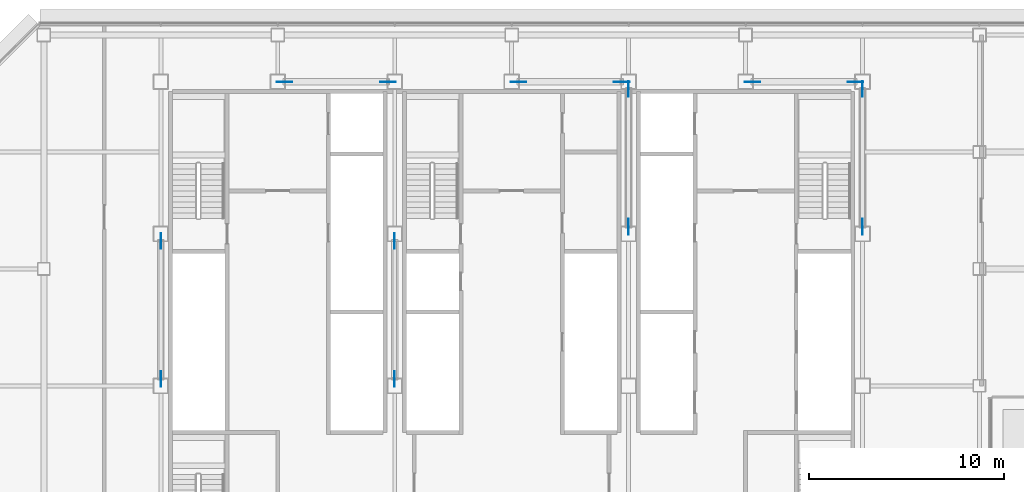
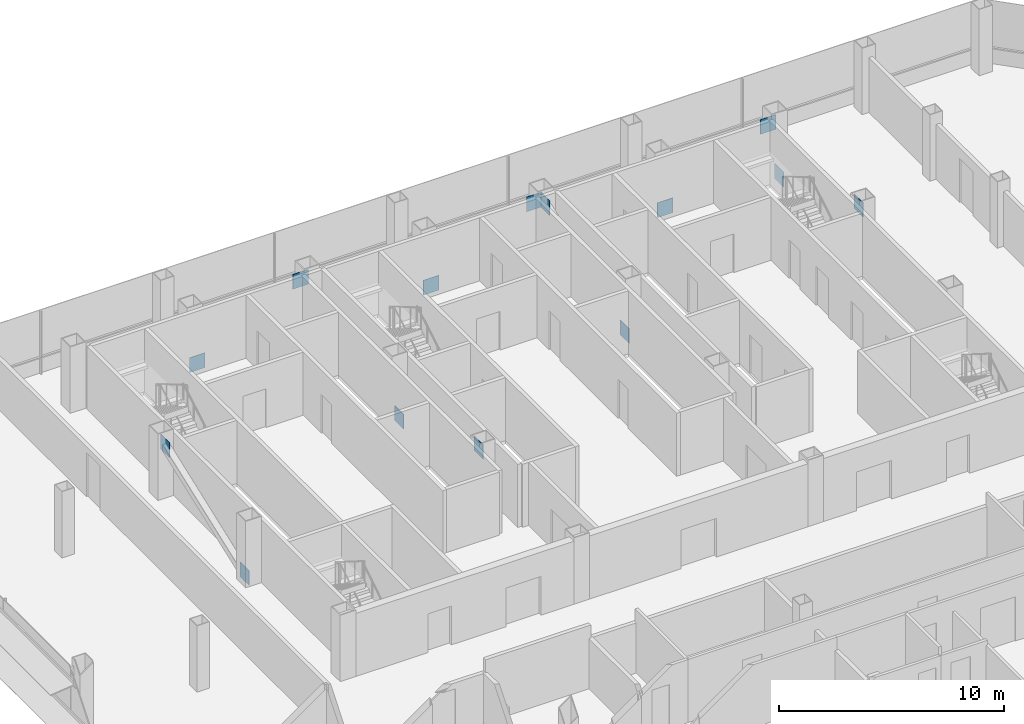
# One storey, part 23 of 27: 14 discrete accessories.
"""IFC4 building model written with IfcOpenShell, lengths in metres."""

import ifcopenshell
import ifcopenshell.guid

model = None  # the IFC model being written
_history = None  # IfcOwnerHistory: only IFC2X3 demands one
_inside = {}  # id of a spatial element -> (the spatial element, [elements in it])
_under = {}  # id of a project, library or spatial element -> (it, [spatial elements below it])
_declared = {}  # id of a project -> (the project, [libraries it declares])
_typed = {}  # id of a type object -> (the type object, [elements of that type])
_made_of = {}  # id of a material, layer set ... -> (it, [elements and type objects made of it])


def new_model(schema):
    """Start an empty IFC model of exactly this schema.

    Asked for "IFC4X3", IfcOpenShell would pick the latest addendum, in which some entities
    have other attributes; the version numbers below select the first issue.
    IFC2X3 requires an IfcOwnerHistory on every rooted entity: one is made here for all.
    """
    global model, _history
    if schema == "IFC4X3":
        model = ifcopenshell.file(schema_version=(4, 3, 0, 0))
    else:
        model = ifcopenshell.file(schema=schema)
    _inside.clear()
    _under.clear()
    _declared.clear()
    _typed.clear()
    _made_of.clear()
    _history = None
    if model.schema == "IFC2X3":
        org = make("IfcOrganization", Name="unknown")
        user = make(
            "IfcPersonAndOrganization",
            ThePerson=make("IfcPerson", FamilyName="unknown"),
            TheOrganization=org,
        )
        app = make(
            "IfcApplication",
            ApplicationDeveloper=org,
            Version="unknown",
            ApplicationFullName="unknown",
            ApplicationIdentifier="unknown",
        )
        _history = make(
            "IfcOwnerHistory",
            OwningUser=user,
            OwningApplication=app,
            ChangeAction="ADDED",
            CreationDate=0,
        )
    return model


def make(cls, **values):
    """One entity of the class cls with the attributes given. An attribute that is None is left unset."""
    return model.create_entity(
        cls, **{name: value for name, value in values.items() if value is not None}
    )


def rooted(cls, **values):
    """An entity with a GlobalId (a new one), such as an element, a storey or a relation."""
    return make(cls, GlobalId=ifcopenshell.guid.new(), OwnerHistory=_history, **values)


def si_unit(unit_type, name, prefix=None):
    """IfcSIUnit, for example si_unit("LENGTHUNIT", "METRE", prefix="MILLI")."""
    return make("IfcSIUnit", UnitType=unit_type, Prefix=prefix, Name=name)


def assignment(units):
    """IfcUnitAssignment: the units of a project."""
    return None if units is None else make("IfcUnitAssignment", Units=units)


def point(xyz):
    """IfcCartesianPoint."""
    return None if xyz is None else make("IfcCartesianPoint", Coordinates=xyz)


def direction(xyz):
    """IfcDirection."""
    return None if xyz is None else make("IfcDirection", DirectionRatios=xyz)


def frame(location, z_axis=None, x_axis=None):
    """IfcAxis2Placement3D, a coordinate frame: its origin and axes. An axis left out is left unset."""
    return make(
        "IfcAxis2Placement3D",
        Location=point(location),
        Axis=direction(z_axis),
        RefDirection=direction(x_axis),
    )


def frame_2d(location, x_axis=None):
    """IfcAxis2Placement2D, a coordinate frame in the plane: its origin and x axis."""
    return make(
        "IfcAxis2Placement2D", Location=point(location), RefDirection=direction(x_axis)
    )


def origin():
    """The frame at (0, 0, 0) with its axes left unset."""
    return frame((0.0, 0.0, 0.0))


def origin_2d():
    """The frame at (0, 0) in the plane with its x axis left unset."""
    return frame_2d((0.0, 0.0))


def place(relative_to, where):
    """IfcLocalPlacement: puts the frame where relative to a parent placement (None: the world)."""
    return make(
        "IfcLocalPlacement", PlacementRelTo=relative_to, RelativePlacement=where
    )


def context(
    kind, dimensions, precision=None, world=None, true_north=None, identifier=None
):
    """IfcGeometricRepresentationContext, for example the 3D "Model" context."""
    return make(
        "IfcGeometricRepresentationContext",
        ContextIdentifier=identifier,
        ContextType=kind,
        CoordinateSpaceDimension=dimensions,
        Precision=precision,
        WorldCoordinateSystem=world,
        TrueNorth=true_north,
    )


def subcontext(parent, identifier, kind, view, scale=None):
    """IfcGeometricRepresentationSubContext, for example "Body" below "Model"."""
    return make(
        "IfcGeometricRepresentationSubContext",
        ContextIdentifier=identifier,
        ContextType=kind,
        ParentContext=parent,
        TargetScale=scale,
        TargetView=view,
    )


def project(units=None, contexts=None):
    """IfcProject with its units and contexts."""
    return rooted(
        "IfcProject",
        Name="project",
        RepresentationContexts=contexts,
        UnitsInContext=assignment(units),
    )


def spatial(cls, under=None, at=None, **own):
    """A site, building, storey or space (cls), placed at a placement, below another one or the project."""
    s = rooted(cls, ObjectPlacement=at, **own)
    if under is not None:
        _under.setdefault(under.id(), (under, []))[1].append(s)
    return s


def profile(cls, at=None, kind="AREA", **sizes):
    """A parametric profile (cls). Its sizes go by their IFC names, for example OverallWidth=200.0."""
    return make(cls, ProfileType=kind, Position=at, **sizes)


def rectangle(**sizes):
    """IfcRectangleProfileDef."""
    return profile("IfcRectangleProfileDef", **sizes)


def extrude(swept, where, along, depth):
    """IfcExtrudedAreaSolid: the profile swept, set in the frame where, extruded along a direction by depth."""
    return make(
        "IfcExtrudedAreaSolid",
        SweptArea=swept,
        Position=where,
        ExtrudedDirection=direction(along),
        Depth=depth,
    )


def shape(context_of_items, identifier, shape_type, items):
    """IfcShapeRepresentation: the items that make up one representation, for example the "Body"."""
    return make(
        "IfcShapeRepresentation",
        ContextOfItems=context_of_items,
        RepresentationIdentifier=identifier,
        RepresentationType=shape_type,
        Items=items,
    )


def material(Name=None, Category=None):
    """IfcMaterial."""
    return make("IfcMaterial", Name=Name, Category=Category)


def layer(
    of_material, thickness, ventilated=None, Name=None, Category=None, Priority=None
):
    """IfcMaterialLayer: one layer of a wall or slab, of a material (None: an air gap)."""
    return make(
        "IfcMaterialLayer",
        Material=of_material,
        LayerThickness=thickness,
        IsVentilated=ventilated,
        Name=Name,
        Category=Category,
        Priority=Priority,
    )


def layer_set(layers, Name=None):
    """IfcMaterialLayerSet."""
    return make("IfcMaterialLayerSet", MaterialLayers=layers, LayerSetName=Name)


def made_of(thing, what):
    """Note that an element or type object is made of a material, layer set ...; save() writes the relation."""
    if what is not None:
        _made_of.setdefault(what.id(), (what, []))[1].append(thing)
    return thing


def type_object(cls, material=None, **own):
    """A type object (cls), such as IfcWallType, which elements share."""
    return made_of(rooted(cls, **own), material)


def element(
    cls,
    number,
    at=None,
    inside=None,
    cuts=None,
    type_object=None,
    material=None,
    context=None,
    identifier="Body",
    shape_type=None,
    held_by="IfcProductDefinitionShape",
    body=None,
    shapes=None,
    **own,
):
    """One element of the class cls, such as IfcWall. Its Tag is "e" and its number.

    at: its placement. inside: the storey or other place that contains it. cuts: it is an
    opening in that element (IfcRelVoidsElement). A single representation is given by context,
    identifier, shape_type and body (its items); several are given by shapes. held_by: the class
    of the entity that holds the representations. save() writes the other relations.
    """
    e = rooted(cls, Tag="e%d" % number, ObjectPlacement=at, **own)
    if body is not None:
        shapes = [shape(context, identifier, shape_type, body)]
    if shapes is not None:
        e.Representation = make(held_by, Representations=shapes)
    if inside is not None:
        _inside.setdefault(inside.id(), (inside, []))[1].append(e)
    if cuts is not None:
        rooted(
            "IfcRelVoidsElement", RelatingBuildingElement=cuts, RelatedOpeningElement=e
        )
    if type_object is not None:
        _typed.setdefault(type_object.id(), (type_object, []))[1].append(e)
    return made_of(e, material)


def aggregate(whole, parts):
    """IfcRelAggregates: a whole, such as a stair, and the parts it consists of."""
    return rooted("IfcRelAggregates", RelatingObject=whole, RelatedObjects=parts)


def save(model, path):
    """Write the relations noted so far, then the file.

    IfcRelAggregates (storeys below a building ...), IfcRelContainedInSpatialStructure (elements
    in a storey), IfcRelDefinesByType, IfcRelAssociatesMaterial and IfcRelDeclares: one each for
    every whole, place, type object, material and project.
    """
    for whole, parts in _under.values():
        aggregate(whole, parts)
    for where, things in _inside.values():
        rooted(
            "IfcRelContainedInSpatialStructure",
            RelatedElements=things,
            RelatingStructure=where,
        )
    for kind, things in _typed.values():
        rooted("IfcRelDefinesByType", RelatedObjects=things, RelatingType=kind)
    for what, things in _made_of.values():
        rooted("IfcRelAssociatesMaterial", RelatedObjects=things, RelatingMaterial=what)
    for by, libraries in _declared.values():
        rooted("IfcRelDeclares", RelatingContext=by, RelatedDefinitions=libraries)
    model.write(path)


model = new_model("IFC4")

# Units and contexts
model_context = context("Model", 3, precision=1e-05, world=origin(), true_north=direction((0.0, 1.0)))
body_context = subcontext(model_context, "Body", "Model", "MODEL_VIEW")
ifc_project = project(units=[si_unit("LENGTHUNIT", "METRE"), si_unit("AREAUNIT", "SQUARE_METRE"), si_unit("VOLUMEUNIT", "CUBIC_METRE"), si_unit("PLANEANGLEUNIT", "RADIAN"), si_unit("MASSUNIT", "GRAM", prefix="KILO")], contexts=[model_context])

# Site, building, storey
site_placement = place(None, origin())
site = spatial("IfcSite", under=ifc_project, at=site_placement, CompositionType="ELEMENT")
building_placement = place(site_placement, origin())
building = spatial("IfcBuilding", under=site, at=building_placement, Name="Sorahane Residences", CompositionType="ELEMENT")
storey_placement = place(building_placement, frame((0.0, 0.0, 167.199951171875)))
storey = spatial("IfcBuildingStorey", under=building, at=storey_placement, Name="L38", CompositionType="ELEMENT", Elevation=167.199951171875)

# Discrete accessories
ifc_material = material(Name="Steel Q355B", Category="steel")
ifc_layer = layer(ifc_material, 0.02490234375)
ifc_layer_set = layer_set([ifc_layer], Name="Node plate Steel Q355B 25")
discrete_accessory_type = type_object("IfcDiscreteAccessoryType", Name="Node plate Steel Q355B 25", PredefinedType="BRACKET", material=ifc_layer_set)
for number, where, z_axis, x_axis, name in (
    (1, (6.0, 30.36328125, -0.23876953125), (0.0, 0.0, 1.0), (0.0, 1.0, 0.0), "Node plate L38 br"),
    (2, (6.0, 37.436767578125, 2.40869140625), (0.0, 0.0, 1.0), (0.0, 1.0, 0.0), "Node plate L38 br"),
    (3, (18.0, 37.436767578125, -0.23876953125), (0.0, 0.0, 1.0), (0.0, 1.0, 0.0), "Node plate L38 br"),
    (4, (18.0, 30.36328125, 2.40869140625), (0.0, 0.0, 1.0), (0.0, 1.0, 0.0), "Node plate L38 br"),
    (5, (30.0, 38.1630859375, -0.23876953125), (0.0, 0.0, 1.0), (0.0, 1.0, 0.0), "Node plate L38 br"),
    (6, (30.0, 45.23681640625, 2.40869140625), (0.0, 0.0, 1.0), (0.0, 1.0, 0.0), "Node plate L38 br"),
    (7, (42.0, 45.23681640625, -0.23876953125), (0.0, 0.0, 1.0), (0.0, 1.0, 0.0), "Node plate L38 br"),
    (8, (42.0, 38.1630859375, 2.40869140625), (0.0, 0.0, 1.0), (0.0, 1.0, 0.0), "Node plate L38 br"),
    (9, (12.352783203125, 45.60009765625, -0.24853515625), (0.0, 0.0, 1.0), (1.0, 0.0, 0.0), "Node plate L38 br"),
    (10, (24.352783203125, 45.60009765625, -0.24853515625), (0.0, 0.0, 1.0), (1.0, 0.0, 0.0), "Node plate L38 br"),
    (11, (36.352783203125, 45.60009765625, -0.24853515625), (0.0, 0.0, 1.0), (1.0, 0.0, 0.0), "Node plate L38 br"),
    (12, (17.647216796875, 45.60009765625, 2.4189453125), (0.0, 0.0, 1.0), (1.0, 0.0, 0.0), "Node plate L38 br"),
    (13, (29.647216796875, 45.60009765625, 2.4189453125), (0.0, 0.0, 1.0), (1.0, 0.0, 0.0), "Node plate L38 br"),
    (14, (41.647216796875, 45.60009765625, 2.4189453125), (0.0, 0.0, 1.0), (1.0, 0.0, 0.0), "Node plate L38 br"),
):
    element("IfcDiscreteAccessory", number, at=place(storey_placement, frame(where, z_axis=z_axis, x_axis=x_axis)), inside=storey, type_object=discrete_accessory_type, Name=name, PredefinedType="BRACKET", context=body_context, shape_type="SweptSolid", body=[
        extrude(rectangle(XDim=0.800048828125, YDim=0.02490234375, at=origin_2d()), origin(), (0.0, 0.0, 1.0), 0.800048828125),
    ])

save(model, "model.ifc")
